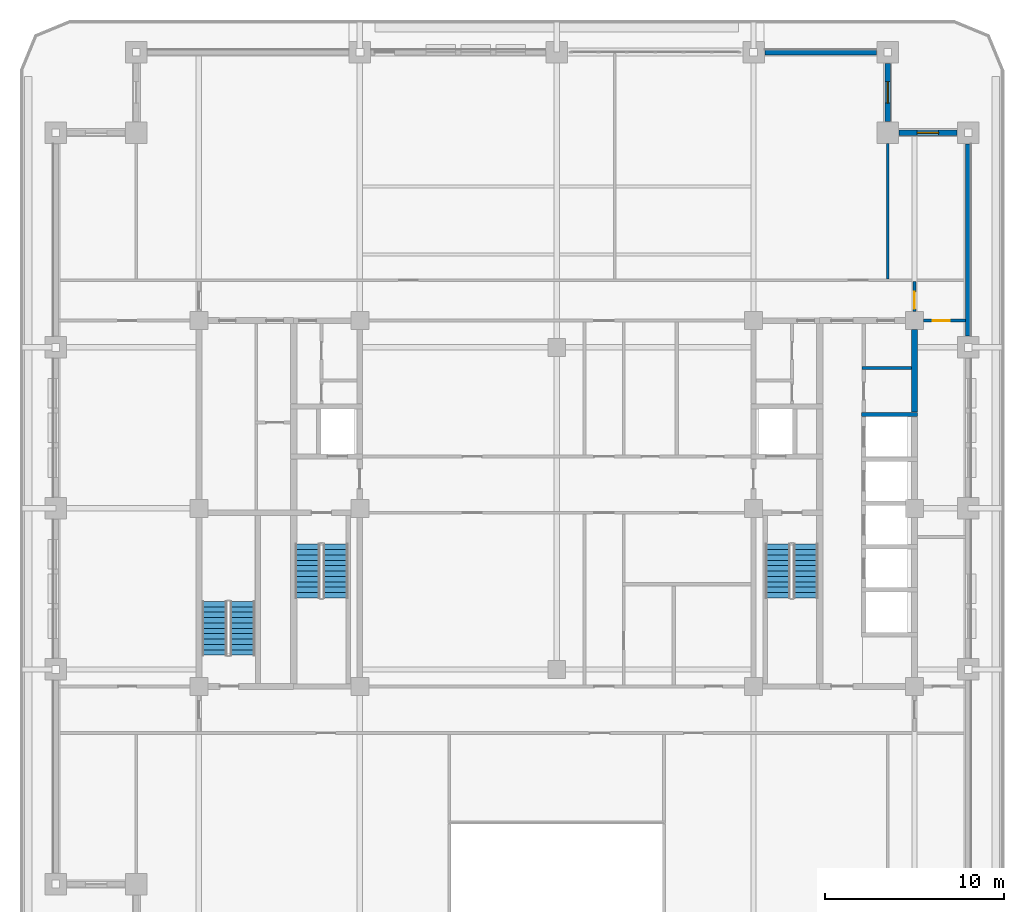
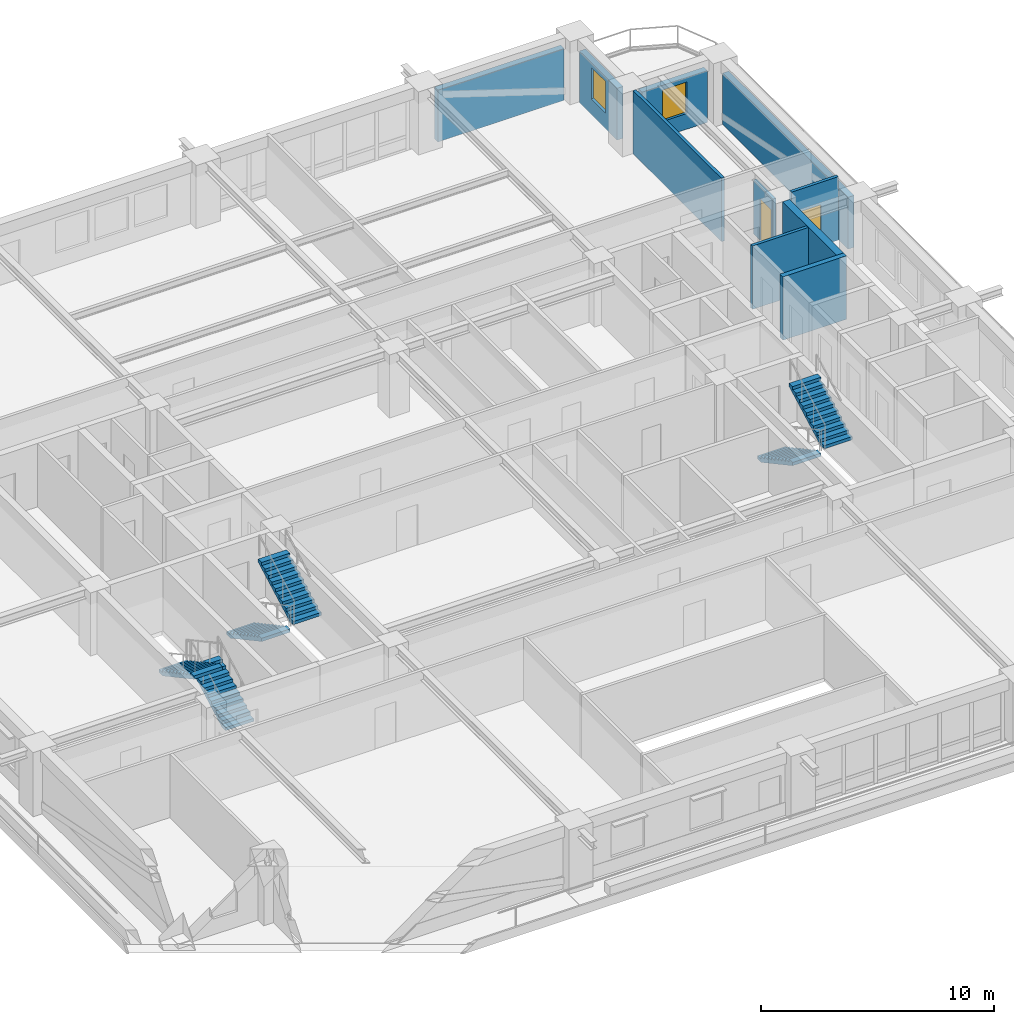
# One storey, part 12 of 20: 10 walls, 6 stair flights, 2 doors, 2 windows, 4 openings, 3 elements without a shape of their own.
"""IFC4 building model written with IfcOpenShell, lengths in metres."""

from ifc_helpers import new_model, si_unit, direction, frame, frame_2d, origin, place, context, subcontext, project, spatial, polyline, rectangle, outline, extrude, material, layer, layer_set, type_object, element, fill, aggregate, save


model = new_model("IFC4")

# Units and contexts
model_context = context("Model", 3, precision=1e-05, world=origin(), true_north=direction((0.0, 1.0)))
body_context = subcontext(model_context, "Body", "Model", "MODEL_VIEW")
ifc_project = project(units=[si_unit("LENGTHUNIT", "METRE"), si_unit("AREAUNIT", "SQUARE_METRE"), si_unit("VOLUMEUNIT", "CUBIC_METRE"), si_unit("PLANEANGLEUNIT", "RADIAN"), si_unit("MASSUNIT", "GRAM", prefix="KILO")], contexts=[model_context])

# Site, building, storey
site_placement = place(None, origin())
site = spatial("IfcSite", under=ifc_project, at=site_placement, CompositionType="ELEMENT")
building_placement = place(site_placement, origin())
building = spatial("IfcBuilding", under=site, at=building_placement, Name="Zulmaris Gate Convention Tower", CompositionType="ELEMENT")
storey_placement = place(building_placement, frame((0.0, 0.0, 146.33984375)))
storey = spatial("IfcBuildingStorey", under=building, at=storey_placement, Name="L37", CompositionType="ELEMENT", Elevation=146.33984375)

# Walls
ifc_material_1 = material(Name="Concrete C50/60", Category="concrete")
ifc_layer_1 = layer(ifc_material_1, 0.25, Name="Concrete C50/60")
ifc_layer_set_1 = layer_set([ifc_layer_1], Name="Concrete C50/60")
wall_type_1 = type_object("IfcWallType", Name="CORE-250", PredefinedType="SOLIDWALL", material=ifc_layer_set_1)
wall_1_placement = place(storey_placement, frame((17.02490234375, 5.25, 0.0), z_axis=(0.0, 0.0, 1.0), x_axis=(1.0, 0.0, 0.0)))
element("IfcWall", 1, at=wall_1_placement, inside=storey, type_object=wall_type_1, Name="WL-L37-014", PredefinedType="SOLIDWALL", context=body_context, shape_type="SweptSolid", body=[
    extrude(rectangle(XDim=3.150146484375, YDim=0.25, at=frame_2d((1.5751953125, 0.0))), origin(), (0.0, 0.0, 1.0), 3.320068359375),
])
ifc_material_2 = material(Name="Concrete C55/67", Category="concrete")
ifc_layer_2 = layer(ifc_material_2, 0.35009765625, Name="Concrete C55/67")
ifc_layer_set_2 = layer_set([ifc_layer_2], Name="Concrete C55/67")
wall_type_2 = type_object("IfcWallType", Name="CORE-350", PredefinedType="SHEAR", material=ifc_layer_set_2)
wall_2_placement = place(storey_placement, frame((20.0, 5.376953125, 0.0), z_axis=(0.0, 0.0, 1.0), x_axis=(0.0, 1.0, 0.0)))
element("IfcWall", 2, at=wall_2_placement, inside=storey, type_object=wall_type_2, Name="WL-L37-073", PredefinedType="SHEAR", context=body_context, shape_type="SweptSolid", body=[
    extrude(rectangle(XDim=4.619140625, YDim=0.35009765625, at=frame_2d((2.3095703125, 0.0))), origin(), (0.0, 0.0, 1.0), 3.320068359375),
])
ifc_material_3 = material(Name="Gypsum Metal Stud Partition")
ifc_layer_3 = layer(ifc_material_3, 0.14990234375, Name="Gypsum Metal Stud Partition")
ifc_layer_set_3 = layer_set([ifc_layer_3], Name="Gypsum Metal Stud Partition")
wall_type_3 = type_object("IfcWallType", Name="PART-150", PredefinedType="PARTITIONING", material=ifc_layer_set_3)
wall_3_placement = place(storey_placement, frame((17.050048828125, 7.85009765625, 0.0), z_axis=(0.0, 0.0, 1.0), x_axis=(1.0, 0.0, 0.0)))
element("IfcWall", 3, at=wall_3_placement, inside=storey, type_object=wall_type_3, Name="WL-L37-034", PredefinedType="PARTITIONING", context=body_context, shape_type="SweptSolid", body=[
    extrude(rectangle(XDim=2.77197265625, YDim=0.14990234375, at=frame_2d((1.385986328125, 0.0))), origin(), (0.0, 0.0, 1.0), 3.320068359375),
])

# Wall, opening, door
wall_4_placement = place(storey_placement, frame((20.506103515625, 10.5, 0.0), z_axis=(0.0, 0.0, 1.0), x_axis=(1.0, 0.0, 0.0)))
wall_4 = element("IfcWall", 4, at=wall_4_placement, inside=storey, type_object=wall_type_3, Name="WL-L37-037", PredefinedType="PARTITIONING", context=body_context, shape_type="SweptSolid", body=[
    extrude(rectangle(XDim=2.328857421875, YDim=0.14990234375, at=frame_2d((1.16455078125, 0.0))), origin(), (0.0, 0.0, 1.0), 3.320068359375),
])
opening_1_placement = place(wall_4_placement, frame((0.51904296875, 0.0, 0.0)))
opening_1 = element("IfcOpeningElement", 5, at=opening_1_placement, cuts=wall_4, Name="Opening D-11", PredefinedType="OPENING", context=body_context, shape_type="SweptSolid", body=[
    extrude(rectangle(XDim=0.949951171875, YDim=2.14990234375, at=frame_2d((0.47509765625, 1.074951171875))), frame((0.0, 0.0849609375, 0.0), z_axis=(0.0, -1.0, 0.0), x_axis=(1.0, 0.0, 0.0)), (0.0, 0.0, 1.0), 0.169921875),
])
ifc_material_4 = material(Name="Fire-Rated Timber", Category="wood")
door_type = type_object("IfcDoorType", Name="DR-950-FD", OperationType="NOTDEFINED", PredefinedType="DOOR", material=ifc_material_4)
door_1_placement = place(opening_1_placement, origin())
door_1 = element("IfcDoor", 6, at=door_1_placement, inside=storey, type_object=door_type, Name="L37 NE Partner Door 49", OperationType="SINGLE_SWING_LEFT", OverallHeight=2.14990234375, OverallWidth=0.949951171875, PredefinedType="DOOR", context=body_context, shape_type="SweptSolid", body=[
    extrude(rectangle(XDim=0.949951171875, YDim=2.14990234375, at=frame_2d((0.47509765625, 1.074951171875))), frame((0.0, 0.02490234375, 0.0), z_axis=(0.0, -1.0, 0.0), x_axis=(1.0, 0.0, 0.0)), (0.0, 0.0, 1.0), 0.050048828125),
])
fill(opening_1, door_1)

# Wall
wall_5_placement = place(storey_placement, frame((18.5, 12.827880859375, 0.0), z_axis=(0.0, 0.0, 1.0), x_axis=(0.0, 1.0, 0.0)))
element("IfcWall", 7, at=wall_5_placement, inside=storey, type_object=wall_type_3, Name="WL-L37-101", PredefinedType="PARTITIONING", context=body_context, shape_type="SweptSolid", body=[
    extrude(rectangle(XDim=7.566162109375, YDim=0.14990234375, at=frame_2d((3.783203125, 0.0))), origin(), (0.0, 0.0, 1.0), 3.320068359375),
])

# Wall, opening, door
wall_6_placement = place(storey_placement, frame((20.0, 11.006103515625, 0.0), z_axis=(0.0, 0.0, 1.0), x_axis=(0.0, 1.0, 0.0)))
wall_6 = element("IfcWall", 8, at=wall_6_placement, inside=storey, type_object=wall_type_3, Name="WL-L37-103", PredefinedType="PARTITIONING", context=body_context, shape_type="SweptSolid", body=[
    extrude(rectangle(XDim=1.666015625, YDim=0.14990234375, at=frame_2d((0.8330078125, 0.0))), origin(), (0.0, 0.0, 1.0), 2.81005859375),
])
opening_2_placement = place(wall_6_placement, frame((0.14990234375, 0.0, 0.0)))
opening_2 = element("IfcOpeningElement", 9, at=opening_2_placement, cuts=wall_6, Name="Opening D-11", PredefinedType="OPENING", context=body_context, shape_type="SweptSolid", body=[
    extrude(rectangle(XDim=0.949951171875, YDim=2.14990234375, at=frame_2d((0.47509765625, 1.074951171875))), frame((0.0, 0.0849609375, 0.0), z_axis=(0.0, -1.0, 0.0), x_axis=(1.0, 0.0, 0.0)), (0.0, 0.0, 1.0), 0.169921875),
])
door_2_placement = place(opening_2_placement, origin())
door_2 = element("IfcDoor", 10, at=door_2_placement, inside=storey, type_object=door_type, Name="L37 NE Spur Door 47", OperationType="SINGLE_SWING_LEFT", OverallHeight=2.14990234375, OverallWidth=0.949951171875, PredefinedType="DOOR", context=body_context, shape_type="SweptSolid", body=[
    extrude(rectangle(XDim=0.949951171875, YDim=2.14990234375, at=frame_2d((0.47509765625, 1.074951171875))), frame((0.0, 0.02490234375, 0.0), z_axis=(0.0, -1.0, 0.0), x_axis=(1.0, 0.0, 0.0)), (0.0, 0.0, 1.0), 0.050048828125),
])
fill(opening_2, door_2)

# Wall, opening, window
ifc_material_5 = material(Name="Precast concrete C40/50", Category="concrete")
ifc_layer_4 = layer(ifc_material_5, 0.300048828125, Name="Precast concrete C40/50")
ifc_layer_set_4 = layer_set([ifc_layer_4], Name="Precast concrete C40/50")
wall_type_4 = type_object("IfcWallType", Name="PRECAST-PIER-300", PredefinedType="STANDARD", material=ifc_layer_set_4)
wall_7_placement = place(storey_placement, frame((22.3701171875, 21.0, 0.0), z_axis=(0.0, 0.0, 1.0), x_axis=(-1.0, 0.0, 0.0)))
wall_7 = element("IfcWall", 11, at=wall_7_placement, inside=storey, type_object=wall_type_4, Name="EW-L37-NOTCH-NE1_0", PredefinedType="STANDARD", context=body_context, shape_type="SweptSolid", body=[
    extrude(rectangle(XDim=3.240234375, YDim=0.300048828125, at=frame_2d((1.6201171875, 0.0))), origin(), (0.0, 0.0, 1.0), 2.712158203125),
])
opening_3_placement = place(wall_7_placement, frame((1.02001953125, 0.0, 0.820068359375)))
opening_3 = element("IfcOpeningElement", 12, at=opening_3_placement, cuts=wall_7, Name="Opening W-04", PredefinedType="OPENING", context=body_context, shape_type="SweptSolid", body=[
    extrude(rectangle(XDim=1.199951171875, YDim=1.64990234375, at=frame_2d((0.60009765625, 0.824951171875))), frame((0.0, 0.16015625, 0.0), z_axis=(0.0, -1.0, 0.0), x_axis=(1.0, 0.0, 0.0)), (0.0, 0.0, 1.0), 0.320068359375),
])
ifc_material_6 = material(Name="Low-E Laminated Double Glazing in Aluminium Frame", Category="aluminium")
window_type = type_object("IfcWindowType", Name="WIN-1200x2100", PartitioningType="SINGLE_PANEL", PredefinedType="WINDOW", material=ifc_material_6)
window_1_placement = place(opening_3_placement, origin())
window_1 = element("IfcWindow", 13, at=window_1_placement, inside=storey, type_object=window_type, Name="WN-EW-L37-NOTCH-NE1_0", OverallHeight=1.64990234375, OverallWidth=1.199951171875, PartitioningType="SINGLE_PANEL", PredefinedType="WINDOW", context=body_context, shape_type="SweptSolid", body=[
    extrude(rectangle(XDim=1.199951171875, YDim=1.64990234375, at=frame_2d((0.60009765625, 0.824951171875))), frame((0.0, 0.030029296875, 0.0), z_axis=(0.0, -1.0, 0.0), x_axis=(1.0, 0.0, 0.0)), (0.0, 0.0, 1.0), 0.06005859375),
])
fill(opening_3, window_1)

wall_8_placement = place(storey_placement, frame((18.5, 21.6298828125, 0.0), z_axis=(0.0, 0.0, 1.0), x_axis=(0.0, 1.0, 0.0)))
wall_8 = element("IfcWall", 14, at=wall_8_placement, inside=storey, type_object=wall_type_4, Name="EW-L37-NOTCH-NE2_0", PredefinedType="STANDARD", context=body_context, shape_type="SweptSolid", body=[
    extrude(rectangle(XDim=3.240234375, YDim=0.300048828125, at=frame_2d((1.6201171875, 0.0))), origin(), (0.0, 0.0, 1.0), 2.712158203125),
])
opening_4_placement = place(wall_8_placement, frame((1.02001953125, 0.0, 0.820068359375)))
opening_4 = element("IfcOpeningElement", 15, at=opening_4_placement, cuts=wall_8, Name="Opening W-04", PredefinedType="OPENING", context=body_context, shape_type="SweptSolid", body=[
    extrude(rectangle(XDim=1.199951171875, YDim=1.64990234375, at=frame_2d((0.60009765625, 0.824951171875))), frame((0.0, 0.16015625, 0.0), z_axis=(0.0, -1.0, 0.0), x_axis=(1.0, 0.0, 0.0)), (0.0, 0.0, 1.0), 0.320068359375),
])
window_2_placement = place(opening_4_placement, origin())
window_2 = element("IfcWindow", 16, at=window_2_placement, inside=storey, type_object=window_type, Name="WN-EW-L37-NOTCH-NE2_0", OverallHeight=1.64990234375, OverallWidth=1.199951171875, PartitioningType="SINGLE_PANEL", PredefinedType="WINDOW", context=body_context, shape_type="SweptSolid", body=[
    extrude(rectangle(XDim=1.199951171875, YDim=1.64990234375, at=frame_2d((0.60009765625, 0.824951171875))), frame((0.0, 0.030029296875, 0.0), z_axis=(0.0, -1.0, 0.0), x_axis=(1.0, 0.0, 0.0)), (0.0, 0.0, 1.0), 0.06005859375),
])
fill(opening_4, window_2)

# Walls
wall_9_placement = place(storey_placement, frame((17.8701171875, 25.5, 0.0), z_axis=(0.0, 0.0, 1.0), x_axis=(-1.0, 0.0, 0.0)))
element("IfcWall", 17, at=wall_9_placement, inside=storey, type_object=wall_type_4, Name="EW-L37-N-3_0", PredefinedType="STANDARD", context=body_context, shape_type="SweptSolid", body=[
    extrude(rectangle(XDim=6.240234375, YDim=0.300048828125, at=frame_2d((3.1201171875, 0.0))), origin(), (0.0, 0.0, 1.0), 2.712158203125),
])
wall_10_placement = place(storey_placement, frame((23.0, 9.6298828125, 0.0), z_axis=(0.0, 0.0, 1.0), x_axis=(0.0, 1.0, 0.0)))
element("IfcWall", 18, at=wall_10_placement, inside=storey, type_object=wall_type_4, Name="EW-L37-E-3_0", PredefinedType="STANDARD", context=body_context, shape_type="SweptSolid", body=[
    extrude(rectangle(XDim=10.740234375, YDim=0.300048828125, at=frame_2d((5.3701171875, 0.0))), origin(), (0.0, 0.0, 1.0), 2.712158203125),
])

# Stair, stair flights
ifc_material_7 = material(Name="Concrete C45/55", Category="concrete")
stair_type = type_object("IfcStairType", Name="ST-CORE-DOGLEG", PredefinedType="HALF_TURN_STAIR", material=ifc_material_7)
stair_1_placement = place(storey_placement, origin())
stair_1 = element("IfcStair", 19, at=stair_1_placement, inside=storey, type_object=stair_type, Name="L37 Core Exit Stair ST-1", PredefinedType="HALF_TURN_STAIR")
ifc_layer_5 = layer(ifc_material_7, 0.14990234375, Name="Concrete C45/55")
ifc_layer_set_5 = layer_set([ifc_layer_5], Name="Concrete C45/55")
stair_flight_type = type_object("IfcStairFlightType", Name="STF-RC150", PredefinedType="STRAIGHT", material=ifc_layer_set_5)
stair_flight_1_placement = place(storey_placement, frame((-13.919921875, -2.0, 0.0), z_axis=(0.0, 0.0, 1.0), x_axis=(0.0, -1.0, 0.0)))
stair_flight_1 = element("IfcStairFlight", 20, at=stair_flight_1_placement, type_object=stair_flight_type, Name="ST-1 flight 1", NumberOfRisers=11, NumberOfTreads=10, PredefinedType="STRAIGHT", RiserHeight=0.162277273, TreadLength=0.3, context=body_context, shape_type="SweptSolid", body=[
    extrude(outline(polyline([(0.0, 0.0), (0.0, 0.162353515625), (0.300048828125, 0.162353515625), (0.300048828125, 0.324462890625), (0.60009765625, 0.324462890625), (0.60009765625, 0.48681640625), (0.89990234375, 0.48681640625), (0.89990234375, 0.649169921875), (1.199951171875, 0.649169921875), (1.199951171875, 0.811279296875), (1.5, 0.811279296875), (1.5, 0.9736328125), (1.800048828125, 0.9736328125), (1.800048828125, 1.135986328125), (2.10009765625, 1.135986328125), (2.10009765625, 1.29833984375), (2.39990234375, 1.29833984375), (2.39990234375, 1.46044921875), (2.699951171875, 1.46044921875), (2.699951171875, 1.622802734375), (3.0, 1.622802734375), (3.0, 1.78515625), (3.0, 1.452392578125), (0.315185546875, 0.0), (0.0, 0.0)])), frame((0.0, 0.699951171875, 0.0), z_axis=(0.0, -1.0, 0.0), x_axis=(1.0, 0.0, 0.0)), (0.0, 0.0, 1.0), 1.39990234375),
])
stair_flight_2_placement = place(storey_placement, frame((-12.360107421875, -5.0, 1.784912109375), z_axis=(0.0, 0.0, 1.0), x_axis=(0.0, 1.0, 0.0)))
stair_flight_2 = element("IfcStairFlight", 21, at=stair_flight_2_placement, type_object=stair_flight_type, Name="ST-1 flight 2", NumberOfRisers=11, NumberOfTreads=10, PredefinedType="STRAIGHT", RiserHeight=0.162277273, TreadLength=0.3, context=body_context, shape_type="SweptSolid", body=[
    extrude(outline(polyline([(0.0, 0.0), (0.0, 0.162353515625), (0.300048828125, 0.162353515625), (0.300048828125, 0.324462890625), (0.60009765625, 0.324462890625), (0.60009765625, 0.48681640625), (0.89990234375, 0.48681640625), (0.89990234375, 0.649169921875), (1.199951171875, 0.649169921875), (1.199951171875, 0.811279296875), (1.5, 0.811279296875), (1.5, 0.9736328125), (1.800048828125, 0.9736328125), (1.800048828125, 1.135986328125), (2.10009765625, 1.135986328125), (2.10009765625, 1.29833984375), (2.39990234375, 1.29833984375), (2.39990234375, 1.46044921875), (2.699951171875, 1.46044921875), (2.699951171875, 1.622802734375), (3.0, 1.622802734375), (3.0, 1.78515625), (3.0, 1.452392578125), (0.315185546875, 0.0), (0.0, 0.0)])), frame((0.0, 0.699951171875, 0.0), z_axis=(0.0, -1.0, 0.0), x_axis=(1.0, 0.0, 0.0)), (0.0, 0.0, 1.0), 1.39990234375),
])
aggregate(stair_1, [stair_flight_1, stair_flight_2])

stair_2_placement = place(storey_placement, origin())
stair_2 = element("IfcStair", 22, at=stair_2_placement, inside=storey, type_object=stair_type, Name="L37 Core Exit Stair ST-2", PredefinedType="HALF_TURN_STAIR")
stair_flight_3_placement = place(storey_placement, frame((12.360107421875, -2.0, 0.0), z_axis=(0.0, 0.0, 1.0), x_axis=(0.0, -1.0, 0.0)))
stair_flight_3 = element("IfcStairFlight", 23, at=stair_flight_3_placement, type_object=stair_flight_type, Name="ST-2 flight 1", NumberOfRisers=11, NumberOfTreads=10, PredefinedType="STRAIGHT", RiserHeight=0.162277273, TreadLength=0.3, context=body_context, shape_type="SweptSolid", body=[
    extrude(outline(polyline([(0.0, 0.0), (0.0, 0.162353515625), (0.300048828125, 0.162353515625), (0.300048828125, 0.324462890625), (0.60009765625, 0.324462890625), (0.60009765625, 0.48681640625), (0.89990234375, 0.48681640625), (0.89990234375, 0.649169921875), (1.199951171875, 0.649169921875), (1.199951171875, 0.811279296875), (1.5, 0.811279296875), (1.5, 0.9736328125), (1.800048828125, 0.9736328125), (1.800048828125, 1.135986328125), (2.10009765625, 1.135986328125), (2.10009765625, 1.29833984375), (2.39990234375, 1.29833984375), (2.39990234375, 1.46044921875), (2.699951171875, 1.46044921875), (2.699951171875, 1.622802734375), (3.0, 1.622802734375), (3.0, 1.78515625), (3.0, 1.452392578125), (0.315185546875, 0.0), (0.0, 0.0)])), frame((0.0, 0.699951171875, 0.0), z_axis=(0.0, -1.0, 0.0), x_axis=(1.0, 0.0, 0.0)), (0.0, 0.0, 1.0), 1.39990234375),
])
stair_flight_4_placement = place(storey_placement, frame((13.919921875, -5.0, 1.784912109375), z_axis=(0.0, 0.0, 1.0), x_axis=(0.0, 1.0, 0.0)))
stair_flight_4 = element("IfcStairFlight", 24, at=stair_flight_4_placement, type_object=stair_flight_type, Name="ST-2 flight 2", NumberOfRisers=11, NumberOfTreads=10, PredefinedType="STRAIGHT", RiserHeight=0.162277273, TreadLength=0.3, context=body_context, shape_type="SweptSolid", body=[
    extrude(outline(polyline([(0.0, 0.0), (0.0, 0.162353515625), (0.300048828125, 0.162353515625), (0.300048828125, 0.324462890625), (0.60009765625, 0.324462890625), (0.60009765625, 0.48681640625), (0.89990234375, 0.48681640625), (0.89990234375, 0.649169921875), (1.199951171875, 0.649169921875), (1.199951171875, 0.811279296875), (1.5, 0.811279296875), (1.5, 0.9736328125), (1.800048828125, 0.9736328125), (1.800048828125, 1.135986328125), (2.10009765625, 1.135986328125), (2.10009765625, 1.29833984375), (2.39990234375, 1.29833984375), (2.39990234375, 1.46044921875), (2.699951171875, 1.46044921875), (2.699951171875, 1.622802734375), (3.0, 1.622802734375), (3.0, 1.78515625), (3.0, 1.452392578125), (0.315185546875, 0.0), (0.0, 0.0)])), frame((0.0, 0.699951171875, 0.0), z_axis=(0.0, -1.0, 0.0), x_axis=(1.0, 0.0, 0.0)), (0.0, 0.0, 1.0), 1.39990234375),
])
aggregate(stair_2, [stair_flight_3, stair_flight_4])

stair_3_placement = place(storey_placement, origin())
stair_3 = element("IfcStair", 25, at=stair_3_placement, inside=storey, type_object=stair_type, Name="L37 Core Exit Stair ST-3", PredefinedType="HALF_TURN_STAIR")
stair_flight_5_placement = place(storey_placement, frame((-17.56005859375, -8.199951171875, 0.0), z_axis=(0.0, 0.0, 1.0), x_axis=(0.0, 1.0, 0.0)))
stair_flight_5 = element("IfcStairFlight", 26, at=stair_flight_5_placement, type_object=stair_flight_type, Name="ST-3 flight 1", NumberOfRisers=11, NumberOfTreads=10, PredefinedType="STRAIGHT", RiserHeight=0.162277273, TreadLength=0.3, context=body_context, shape_type="SweptSolid", body=[
    extrude(outline(polyline([(0.0, 0.0), (0.0, 0.162353515625), (0.300048828125, 0.162353515625), (0.300048828125, 0.324462890625), (0.60009765625, 0.324462890625), (0.60009765625, 0.48681640625), (0.89990234375, 0.48681640625), (0.89990234375, 0.649169921875), (1.199951171875, 0.649169921875), (1.199951171875, 0.811279296875), (1.5, 0.811279296875), (1.5, 0.9736328125), (1.800048828125, 0.9736328125), (1.800048828125, 1.135986328125), (2.10009765625, 1.135986328125), (2.10009765625, 1.29833984375), (2.39990234375, 1.29833984375), (2.39990234375, 1.46044921875), (2.699951171875, 1.46044921875), (2.699951171875, 1.622802734375), (3.0, 1.622802734375), (3.0, 1.78515625), (3.0, 1.452392578125), (0.315185546875, 0.0), (0.0, 0.0)])), frame((0.0, 0.699951171875, 0.0), z_axis=(0.0, -1.0, 0.0), x_axis=(1.0, 0.0, 0.0)), (0.0, 0.0, 1.0), 1.39990234375),
])
stair_flight_6_placement = place(storey_placement, frame((-19.1201171875, -5.199951171875, 1.784912109375), z_axis=(0.0, 0.0, 1.0), x_axis=(0.0, -1.0, 0.0)))
stair_flight_6 = element("IfcStairFlight", 27, at=stair_flight_6_placement, type_object=stair_flight_type, Name="ST-3 flight 2", NumberOfRisers=11, NumberOfTreads=10, PredefinedType="STRAIGHT", RiserHeight=0.162277273, TreadLength=0.3, context=body_context, shape_type="SweptSolid", body=[
    extrude(outline(polyline([(0.0, 0.0), (0.0, 0.162353515625), (0.300048828125, 0.162353515625), (0.300048828125, 0.324462890625), (0.60009765625, 0.324462890625), (0.60009765625, 0.48681640625), (0.89990234375, 0.48681640625), (0.89990234375, 0.649169921875), (1.199951171875, 0.649169921875), (1.199951171875, 0.811279296875), (1.5, 0.811279296875), (1.5, 0.9736328125), (1.800048828125, 0.9736328125), (1.800048828125, 1.135986328125), (2.10009765625, 1.135986328125), (2.10009765625, 1.29833984375), (2.39990234375, 1.29833984375), (2.39990234375, 1.46044921875), (2.699951171875, 1.46044921875), (2.699951171875, 1.622802734375), (3.0, 1.622802734375), (3.0, 1.78515625), (3.0, 1.452392578125), (0.315185546875, 0.0), (0.0, 0.0)])), frame((0.0, 0.699951171875, 0.0), z_axis=(0.0, -1.0, 0.0), x_axis=(1.0, 0.0, 0.0)), (0.0, 0.0, 1.0), 1.39990234375),
])
aggregate(stair_3, [stair_flight_5, stair_flight_6])

save(model, "model.ifc")
